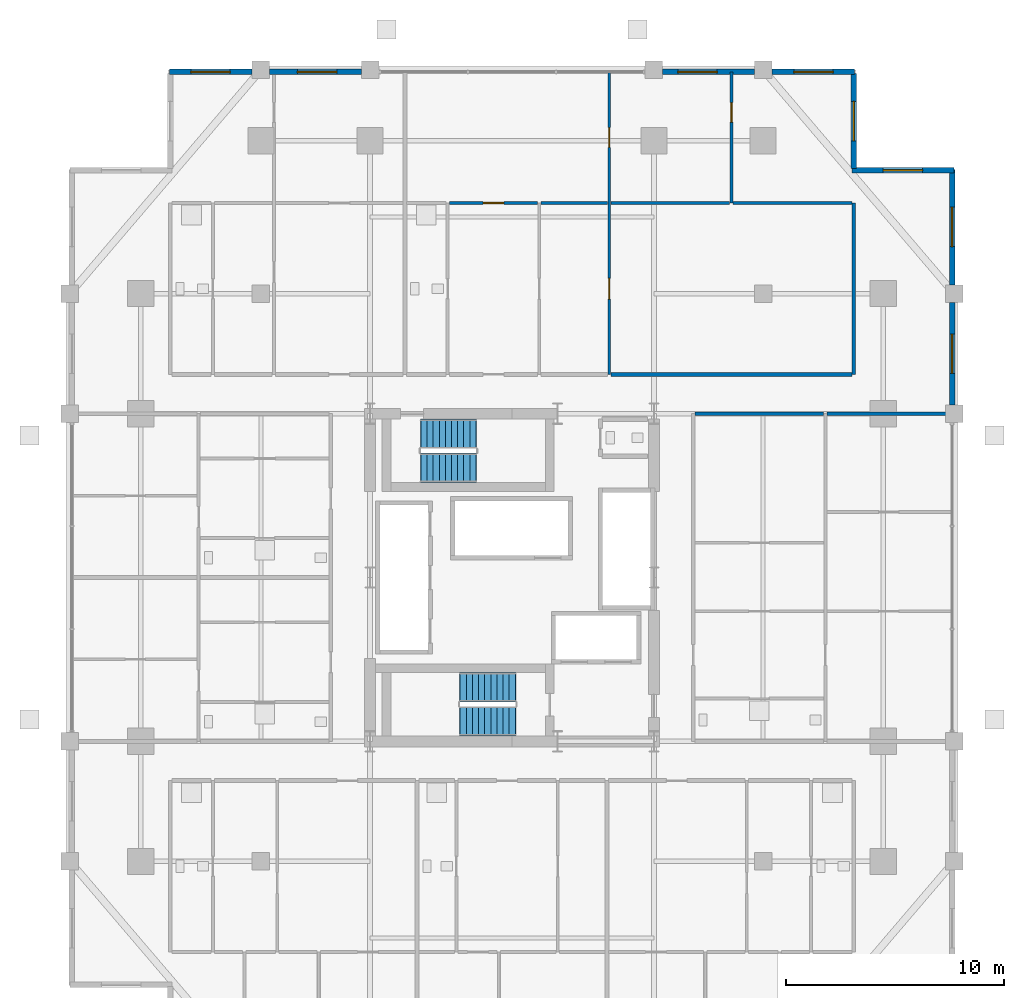
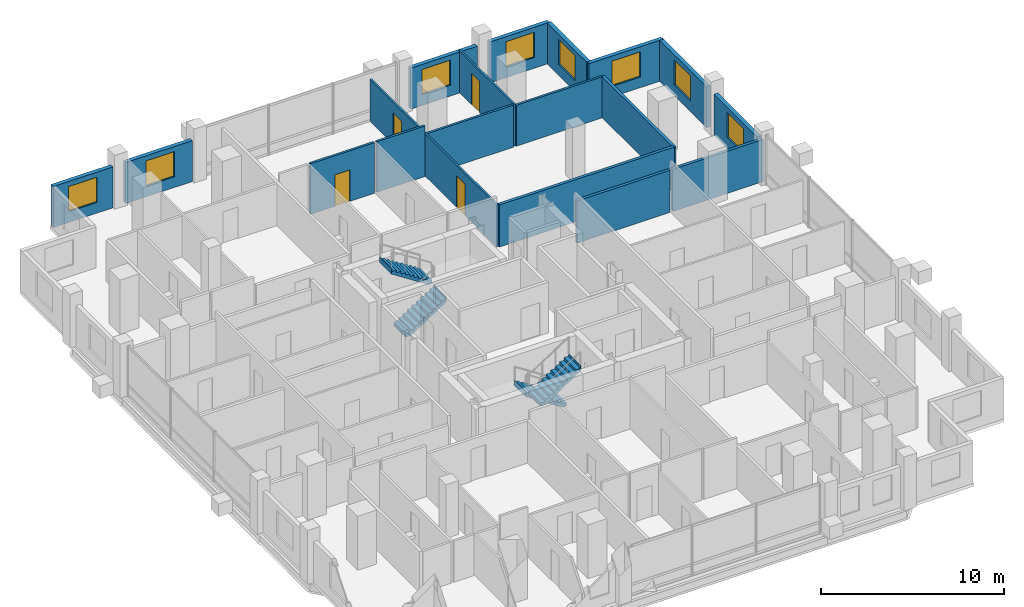
# One storey, part 18 of 20: 18 walls, 8 windows, 4 doors, 4 stair flights, 12 openings, 2 elements without a shape of their own.
"""IFC4 building model written with IfcOpenShell, lengths in metres."""

from ifc_helpers import new_model, si_unit, direction, frame, frame_2d, origin, place, context, subcontext, project, spatial, polyline, rectangle, outline, extrude, material, layer, layer_set, type_object, element, fill, aggregate, save


model = new_model("IFC4")

# Units and contexts
model_context = context("Model", 3, precision=1e-05, world=origin(), true_north=direction((0.0, 1.0)))
body_context = subcontext(model_context, "Body", "Model", "MODEL_VIEW")
ifc_project = project(units=[si_unit("LENGTHUNIT", "METRE"), si_unit("AREAUNIT", "SQUARE_METRE"), si_unit("VOLUMEUNIT", "CUBIC_METRE"), si_unit("PLANEANGLEUNIT", "RADIAN"), si_unit("MASSUNIT", "GRAM", prefix="KILO")], contexts=[model_context])

# Site, building, storey
site_placement = place(None, origin())
site = spatial("IfcSite", under=ifc_project, at=site_placement, CompositionType="ELEMENT")
building_placement = place(site_placement, origin())
building = spatial("IfcBuilding", under=site, at=building_placement, Name="Barlavira Tower and Art Museum", CompositionType="ELEMENT")
storey_placement = place(building_placement, frame((0.0, 0.0, 102.60009765625)))
storey = spatial("IfcBuildingStorey", under=building, at=storey_placement, Name="L25", CompositionType="ELEMENT", Elevation=102.60009765625)

# Wall, openings, doors
ifc_material_1 = material(Name="Gypsum acoustic stud partition", Category="gypsum")
ifc_layer_1 = layer(ifc_material_1, 0.1201171875, Name="Gypsum acoustic stud partition")
ifc_layer_set_1 = layer_set([ifc_layer_1], Name="Gypsum acoustic stud partition")
wall_type_1 = type_object("IfcWallType", Name="Apartment Internal Acoustic Partition 120", PredefinedType="PARTITIONING", material=ifc_layer_set_1)
wall_1_placement = place(storey_placement, frame((4.449951171875, 9.300048828125, 0.0), z_axis=(0.0, 0.0, 1.0), x_axis=(0.0, 1.0, 0.0)))
wall_1 = element("IfcWall", 1, at=wall_1_placement, inside=storey, type_object=wall_type_1, Name="L25 Partition Wall 20", PredefinedType="PARTITIONING", context=body_context, shape_type="SweptSolid", body=[
    extrude(rectangle(XDim=13.849853515625, YDim=0.1201171875, at=frame_2d((6.9248046875, 0.0))), origin(), (0.0, 0.0, 1.0), 2.81591796875),
])
opening_1_placement = place(wall_1_placement, frame((3.445068359375, 0.0, 0.0)))
opening_1 = element("IfcOpeningElement", 2, at=opening_1_placement, cuts=wall_1, Name="Opening D-02", PredefinedType="OPENING", context=body_context, shape_type="SweptSolid", body=[
    extrude(rectangle(XDim=0.949951171875, YDim=2.10009765625, at=frame_2d((0.47509765625, 1.050048828125))), frame((0.0, 0.070068359375, 0.0), z_axis=(0.0, -1.0, 0.0), x_axis=(1.0, 0.0, 0.0)), (0.0, 0.0, 1.0), 0.14013671875),
])
opening_2_placement = place(wall_1_placement, frame((10.39990234375, 0.0, 0.0)))
opening_2 = element("IfcOpeningElement", 3, at=opening_2_placement, cuts=wall_1, Name="Opening D-01", PredefinedType="OPENING", context=body_context, shape_type="SweptSolid", body=[
    extrude(rectangle(XDim=0.89990234375, YDim=2.10009765625, at=frame_2d((0.449951171875, 1.050048828125))), frame((0.0, 0.070068359375, 0.0), z_axis=(0.0, -1.0, 0.0), x_axis=(1.0, 0.0, 0.0)), (0.0, 0.0, 1.0), 0.14013671875),
])
ifc_material_2 = material(Name="Engineered coastal hardwood", Category="wood")
door_type_1 = type_object("IfcDoorType", Name="Internal Bedroom Timber Flush Door 900x2100", OperationType="NOTDEFINED", PredefinedType="DOOR", material=ifc_material_2)
door_1_placement = place(opening_2_placement, origin())
door_1 = element("IfcDoor", 4, at=door_1_placement, inside=storey, type_object=door_type_1, Name="Apartment N2 Bedroom 1 Door", OperationType="SINGLE_SWING_RIGHT", OverallHeight=2.10009765625, OverallWidth=0.89990234375, PredefinedType="DOOR", context=body_context, shape_type="SweptSolid", body=[
    extrude(rectangle(XDim=0.89990234375, YDim=2.10009765625, at=frame_2d((0.449951171875, 1.050048828125))), frame((0.0, 0.02490234375, 0.0), z_axis=(0.0, -1.0, 0.0), x_axis=(1.0, 0.0, 0.0)), (0.0, 0.0, 1.0), 0.050048828125),
])
fill(opening_2, door_1)
door_type_2 = type_object("IfcDoorType", Name="Living and Salon Glazed-Leaf Door 950x2100", OperationType="NOTDEFINED", PredefinedType="DOOR", material=ifc_material_2)
door_2_placement = place(opening_1_placement, origin())
door_2 = element("IfcDoor", 5, at=door_2_placement, inside=storey, type_object=door_type_2, Name="Apartment N2 Dining Salon Door", OperationType="SINGLE_SWING_RIGHT", OverallHeight=2.10009765625, OverallWidth=0.949951171875, PredefinedType="DOOR", context=body_context, shape_type="SweptSolid", body=[
    extrude(rectangle(XDim=0.949951171875, YDim=2.10009765625, at=frame_2d((0.47509765625, 1.050048828125))), frame((0.0, 0.02490234375, 0.0), z_axis=(0.0, -1.0, 0.0), x_axis=(1.0, 0.0, 0.0)), (0.0, 0.0, 1.0), 0.050048828125),
])
fill(opening_1, door_2)

# Wall, opening, door
wall_2_placement = place(storey_placement, frame((10.050048828125, 17.14990234375, 0.0), z_axis=(0.0, 0.0, 1.0), x_axis=(0.0, 1.0, 0.0)))
wall_2 = element("IfcWall", 6, at=wall_2_placement, inside=storey, type_object=wall_type_1, Name="L25 Partition Wall 23", PredefinedType="PARTITIONING", context=body_context, shape_type="SweptSolid", body=[
    extrude(rectangle(XDim=6.0, YDim=0.1201171875, at=frame_2d((3.0, 0.0))), origin(), (0.0, 0.0, 1.0), 2.81591796875),
])
opening_3_placement = place(wall_2_placement, frame((3.701171875, 0.0, 0.0)))
opening_3 = element("IfcOpeningElement", 7, at=opening_3_placement, cuts=wall_2, Name="Opening D-01", PredefinedType="OPENING", context=body_context, shape_type="SweptSolid", body=[
    extrude(rectangle(XDim=0.89990234375, YDim=2.10009765625, at=frame_2d((0.449951171875, 1.050048828125))), frame((0.0, 0.070068359375, 0.0), z_axis=(0.0, -1.0, 0.0), x_axis=(1.0, 0.0, 0.0)), (0.0, 0.0, 1.0), 0.14013671875),
])
door_3_placement = place(opening_3_placement, origin())
door_3 = element("IfcDoor", 8, at=door_3_placement, inside=storey, type_object=door_type_1, Name="Apartment N2 Bedroom 2 Door", OperationType="SINGLE_SWING_LEFT", OverallHeight=2.10009765625, OverallWidth=0.89990234375, PredefinedType="DOOR", context=body_context, shape_type="SweptSolid", body=[
    extrude(rectangle(XDim=0.89990234375, YDim=2.10009765625, at=frame_2d((0.449951171875, 1.050048828125))), frame((0.0, 0.02490234375, 0.0), z_axis=(0.0, -1.0, 0.0), x_axis=(1.0, 0.0, 0.0)), (0.0, 0.0, 1.0), 0.050048828125),
])
fill(opening_3, door_3)

# Walls
ifc_layer_2 = layer(ifc_material_1, 0.179931640625, Name="Gypsum acoustic stud partition")
ifc_layer_set_2 = layer_set([ifc_layer_2], Name="Gypsum acoustic stud partition")
wall_type_2 = type_object("IfcWallType", Name="Inter-Tenancy Party Partition Wall 180", PredefinedType="PARTITIONING", material=ifc_layer_set_2)
wall_3_placement = place(storey_placement, frame((15.64990234375, 9.300048828125, 0.0), z_axis=(0.0, 0.0, 1.0), x_axis=(0.0, 1.0, 0.0)))
element("IfcWall", 9, at=wall_3_placement, inside=storey, type_object=wall_type_2, Name="L25 Partition Wall 29", PredefinedType="PARTITIONING", context=body_context, shape_type="SweptSolid", body=[
    extrude(rectangle(XDim=7.849853515625, YDim=0.179931640625, at=frame_2d((3.9248046875, 0.0))), origin(), (0.0, 0.0, 1.0), 2.73583984375),
])
wall_4_placement = place(storey_placement, frame((8.3798828125, 7.5, 0.0), z_axis=(0.0, 0.0, 1.0), x_axis=(1.0, 0.0, 0.0)))
element("IfcWall", 10, at=wall_4_placement, inside=storey, type_object=wall_type_2, Name="L25 Partition Wall 74", PredefinedType="PARTITIONING", context=body_context, shape_type="SweptSolid", body=[
    extrude(rectangle(XDim=5.89013671875, YDim=0.179931640625, at=frame_2d((2.945068359375, 0.0))), origin(), (0.0, 0.0, 1.0), 2.81591796875),
])
wall_5_placement = place(storey_placement, frame((14.429931640625, 7.5, 0.0), z_axis=(0.0, 0.0, 1.0), x_axis=(1.0, 0.0, 0.0)))
element("IfcWall", 11, at=wall_5_placement, inside=storey, type_object=wall_type_2, Name="L25 Partition Wall 75", PredefinedType="PARTITIONING", context=body_context, shape_type="SweptSolid", body=[
    extrude(rectangle(XDim=5.719970703125, YDim=0.179931640625, at=frame_2d((2.85986328125, 0.0))), origin(), (0.0, 0.0, 1.0), 2.81591796875),
])
wall_6_placement = place(storey_placement, frame((4.530029296875, 9.300048828125, 0.0), z_axis=(0.0, 0.0, 1.0), x_axis=(1.0, 0.0, 0.0)))
element("IfcWall", 12, at=wall_6_placement, inside=storey, type_object=wall_type_2, Name="L25 Partition Wall 82", PredefinedType="PARTITIONING", context=body_context, shape_type="SweptSolid", body=[
    extrude(rectangle(XDim=11.0400390625, YDim=0.179931640625, at=frame_2d((5.52001953125, 0.0))), origin(), (0.0, 0.0, 1.0), 2.81591796875),
])

# Wall, opening, door
ifc_layer_3 = layer(ifc_material_1, 0.139892578125, Name="Gypsum acoustic stud partition")
ifc_layer_set_3 = layer_set([ifc_layer_3], Name="Gypsum acoustic stud partition")
wall_type_3 = type_object("IfcWallType", Name="Moisture-Resistant Bathroom Partition 140", PredefinedType="PARTITIONING", material=ifc_layer_set_3)
wall_7_placement = place(storey_placement, frame((-2.8701171875, 17.14990234375, 0.0), z_axis=(0.0, 0.0, 1.0), x_axis=(1.0, 0.0, 0.0)))
wall_7 = element("IfcWall", 13, at=wall_7_placement, inside=storey, type_object=wall_type_3, Name="L25 Partition Wall 87", PredefinedType="PARTITIONING", context=body_context, shape_type="SweptSolid", body=[
    extrude(rectangle(XDim=4.0400390625, YDim=0.139892578125, at=frame_2d((2.02001953125, 0.0))), origin(), (0.0, 0.0, 1.0), 3.3798828125),
])
opening_4_placement = place(wall_7_placement, frame((1.544921875, 0.0, 0.0)))
opening_4 = element("IfcOpeningElement", 14, at=opening_4_placement, cuts=wall_7, Name="Opening D-02", PredefinedType="OPENING", context=body_context, shape_type="SweptSolid", body=[
    extrude(rectangle(XDim=0.949951171875, YDim=2.10009765625, at=frame_2d((0.47509765625, 1.050048828125))), frame((0.0, 0.080078125, 0.0), z_axis=(0.0, -1.0, 0.0), x_axis=(1.0, 0.0, 0.0)), (0.0, 0.0, 1.0), 0.159912109375),
])
door_4_placement = place(opening_4_placement, origin())
door_4 = element("IfcDoor", 15, at=door_4_placement, inside=storey, type_object=door_type_2, Name="Apartment N2 Living Lounge Door", OperationType="SINGLE_SWING_LEFT", OverallHeight=2.10009765625, OverallWidth=0.949951171875, PredefinedType="DOOR", context=body_context, shape_type="SweptSolid", body=[
    extrude(rectangle(XDim=0.949951171875, YDim=2.10009765625, at=frame_2d((0.47509765625, 1.050048828125))), frame((0.0, 0.02490234375, 0.0), z_axis=(0.0, -1.0, 0.0), x_axis=(1.0, 0.0, 0.0)), (0.0, 0.0, 1.0), 0.050048828125),
])
fill(opening_4, door_4)

# Walls
wall_8_placement = place(storey_placement, frame((1.330078125, 17.14990234375, 0.0), z_axis=(0.0, 0.0, 1.0), x_axis=(1.0, 0.0, 0.0)))
element("IfcWall", 16, at=wall_8_placement, inside=storey, type_object=wall_type_3, Name="L25 Partition Wall 88", PredefinedType="PARTITIONING", context=body_context, shape_type="SweptSolid", body=[
    extrude(rectangle(XDim=3.0400390625, YDim=0.139892578125, at=frame_2d((1.52001953125, 0.0))), origin(), (0.0, 0.0, 1.0), 3.3798828125),
])
wall_9_placement = place(storey_placement, frame((4.530029296875, 17.14990234375, 0.0), z_axis=(0.0, 0.0, 1.0), x_axis=(1.0, 0.0, 0.0)))
element("IfcWall", 17, at=wall_9_placement, inside=storey, type_object=wall_type_3, Name="L25 Partition Wall 89", PredefinedType="PARTITIONING", context=body_context, shape_type="SweptSolid", body=[
    extrude(rectangle(XDim=5.43994140625, YDim=0.139892578125, at=frame_2d((2.719970703125, 0.0))), origin(), (0.0, 0.0, 1.0), 2.81591796875),
])
wall_10_placement = place(storey_placement, frame((10.1298828125, 17.14990234375, 0.0), z_axis=(0.0, 0.0, 1.0), x_axis=(1.0, 0.0, 0.0)))
element("IfcWall", 18, at=wall_10_placement, inside=storey, type_object=wall_type_3, Name="L25 Partition Wall 90", PredefinedType="PARTITIONING", context=body_context, shape_type="SweptSolid", body=[
    extrude(rectangle(XDim=5.440185546875, YDim=0.139892578125, at=frame_2d((2.72021484375, 0.0))), origin(), (0.0, 0.0, 1.0), 2.73583984375),
])

# Wall, opening, window
ifc_material_3 = material(Name="Precast concrete C40", Category="concrete")
ifc_layer_4 = layer(ifc_material_3, 0.25, Name="Precast concrete C40")
ifc_layer_set_4 = layer_set([ifc_layer_4], Name="Precast concrete C40")
wall_type_4 = type_object("IfcWallType", Name="Notched Corner Spandrel Wall 250 Precast Concrete C40", PredefinedType="SOLIDWALL", material=ifc_layer_set_4)
wall_11_placement = place(storey_placement, frame((15.675048828125, 23.14990234375, 0.0), z_axis=(0.0, 0.0, 1.0), x_axis=(-1.0, 0.0, 0.0)))
wall_11 = element("IfcWall", 19, at=wall_11_placement, inside=storey, type_object=wall_type_4, Name="L25 Coastal Facade Pier Wall CW2-L25-N-1", PredefinedType="SOLIDWALL", context=body_context, shape_type="SweptSolid", body=[
    extrude(rectangle(XDim=3.780029296875, YDim=0.25, at=frame_2d((1.89013671875, 0.0))), origin(), (0.0, 0.0, 1.0), 2.73583984375),
])
opening_5_placement = place(wall_11_placement, frame((0.968017578125, 0.0, 0.719970703125)))
opening_5 = element("IfcOpeningElement", 20, at=opening_5_placement, cuts=wall_11, Name="Opening WN-01", PredefinedType="OPENING", context=body_context, shape_type="SweptSolid", body=[
    extrude(rectangle(XDim=1.800048828125, YDim=1.679931640625, at=frame_2d((0.89990234375, 0.83984375))), frame((0.0, 0.135009765625, 0.0), z_axis=(0.0, -1.0, 0.0), x_axis=(1.0, 0.0, 0.0)), (0.0, 0.0, 1.0), 0.27001953125),
])
ifc_material_4 = material(Name="Low-iron coastal laminated glass", Category="glass")
window_type = type_object("IfcWindowType", Name="Recessed Notch Corner Punch Window 1800x1680", PartitioningType="SINGLE_PANEL", PredefinedType="WINDOW", material=ifc_material_4)
window_1_placement = place(opening_5_placement, origin())
window_1 = element("IfcWindow", 21, at=window_1_placement, inside=storey, type_object=window_type, Name="L25 Punched Facade Window EWP-CW2-L25-N-1-1", OverallHeight=1.679931640625, OverallWidth=1.800048828125, PartitioningType="SINGLE_PANEL", PredefinedType="WINDOW", context=body_context, shape_type="SweptSolid", body=[
    extrude(rectangle(XDim=1.800048828125, YDim=1.679931640625, at=frame_2d((0.89990234375, 0.83984375))), frame((0.0, 0.030029296875, 0.0), z_axis=(0.0, -1.0, 0.0), x_axis=(1.0, 0.0, 0.0)), (0.0, 0.0, 1.0), 0.06005859375),
])
fill(opening_5, window_1)

wall_12_placement = place(storey_placement, frame((11.10498046875, 23.14990234375, 0.0), z_axis=(0.0, 0.0, 1.0), x_axis=(-1.0, 0.0, 0.0)))
wall_12 = element("IfcWall", 22, at=wall_12_placement, inside=storey, type_object=wall_type_4, Name="L25 Coastal Facade Pier Wall CW2-L25-N-2", PredefinedType="SOLIDWALL", context=body_context, shape_type="SweptSolid", body=[
    extrude(rectangle(XDim=4.2099609375, YDim=0.25, at=frame_2d((2.10498046875, 0.0))), origin(), (0.0, 0.0, 1.0), 2.73583984375),
])
opening_6_placement = place(wall_12_placement, frame((1.7099609375, 0.0, 0.719970703125)))
opening_6 = element("IfcOpeningElement", 23, at=opening_6_placement, cuts=wall_12, Name="Opening WN-01", PredefinedType="OPENING", context=body_context, shape_type="SweptSolid", body=[
    extrude(rectangle(XDim=1.800048828125, YDim=1.679931640625, at=frame_2d((0.89990234375, 0.83984375))), frame((0.0, 0.135009765625, 0.0), z_axis=(0.0, -1.0, 0.0), x_axis=(1.0, 0.0, 0.0)), (0.0, 0.0, 1.0), 0.27001953125),
])
window_2_placement = place(opening_6_placement, origin())
window_2 = element("IfcWindow", 24, at=window_2_placement, inside=storey, type_object=window_type, Name="L25 Punched Facade Window EWP-CW2-L25-N-2-1", OverallHeight=1.679931640625, OverallWidth=1.800048828125, PartitioningType="SINGLE_PANEL", PredefinedType="WINDOW", context=body_context, shape_type="SweptSolid", body=[
    extrude(rectangle(XDim=1.800048828125, YDim=1.679931640625, at=frame_2d((0.89990234375, 0.83984375))), frame((0.0, 0.030029296875, 0.0), z_axis=(0.0, -1.0, 0.0), x_axis=(1.0, 0.0, 0.0)), (0.0, 0.0, 1.0), 0.06005859375),
])
fill(opening_6, window_2)

wall_13_placement = place(storey_placement, frame((-6.89501953125, 23.14990234375, 0.0), z_axis=(0.0, 0.0, 1.0), x_axis=(-1.0, 0.0, 0.0)))
wall_13 = element("IfcWall", 25, at=wall_13_placement, inside=storey, type_object=wall_type_4, Name="L25 Coastal Facade Pier Wall CW2-L25-N-4", PredefinedType="SOLIDWALL", context=body_context, shape_type="SweptSolid", body=[
    extrude(rectangle(XDim=4.2099609375, YDim=0.25, at=frame_2d((2.10498046875, 0.0))), origin(), (0.0, 0.0, 1.0), 2.73583984375),
])
opening_7_placement = place(wall_13_placement, frame((1.1298828125, 0.0, 0.719970703125)))
opening_7 = element("IfcOpeningElement", 26, at=opening_7_placement, cuts=wall_13, Name="Opening WN-01", PredefinedType="OPENING", context=body_context, shape_type="SweptSolid", body=[
    extrude(rectangle(XDim=1.800048828125, YDim=1.679931640625, at=frame_2d((0.89990234375, 0.83984375))), frame((0.0, 0.135009765625, 0.0), z_axis=(0.0, -1.0, 0.0), x_axis=(1.0, 0.0, 0.0)), (0.0, 0.0, 1.0), 0.27001953125),
])
window_3_placement = place(opening_7_placement, origin())
window_3 = element("IfcWindow", 27, at=window_3_placement, inside=storey, type_object=window_type, Name="L25 Punched Facade Window EWP-CW2-L25-N-4-1", OverallHeight=1.679931640625, OverallWidth=1.800048828125, PartitioningType="SINGLE_PANEL", PredefinedType="WINDOW", context=body_context, shape_type="SweptSolid", body=[
    extrude(rectangle(XDim=1.800048828125, YDim=1.679931640625, at=frame_2d((0.89990234375, 0.83984375))), frame((0.0, 0.030029296875, 0.0), z_axis=(0.0, -1.0, 0.0), x_axis=(1.0, 0.0, 0.0)), (0.0, 0.0, 1.0), 0.06005859375),
])
fill(opening_7, window_3)

wall_14_placement = place(storey_placement, frame((-11.89501953125, 23.14990234375, 0.0), z_axis=(0.0, 0.0, 1.0), x_axis=(-1.0, 0.0, 0.0)))
wall_14 = element("IfcWall", 28, at=wall_14_placement, inside=storey, type_object=wall_type_4, Name="L25 Coastal Facade Pier Wall CW2-L25-N-5", PredefinedType="SOLIDWALL", context=body_context, shape_type="SweptSolid", body=[
    extrude(rectangle(XDim=3.780029296875, YDim=0.25, at=frame_2d((1.89013671875, 0.0))), origin(), (0.0, 0.0, 1.0), 2.73583984375),
])
opening_8_placement = place(wall_14_placement, frame((1.012939453125, 0.0, 0.719970703125)))
opening_8 = element("IfcOpeningElement", 29, at=opening_8_placement, cuts=wall_14, Name="Opening WN-01", PredefinedType="OPENING", context=body_context, shape_type="SweptSolid", body=[
    extrude(rectangle(XDim=1.800048828125, YDim=1.679931640625, at=frame_2d((0.89990234375, 0.83984375))), frame((0.0, 0.135009765625, 0.0), z_axis=(0.0, -1.0, 0.0), x_axis=(1.0, 0.0, 0.0)), (0.0, 0.0, 1.0), 0.27001953125),
])
window_4_placement = place(opening_8_placement, origin())
window_4 = element("IfcWindow", 30, at=window_4_placement, inside=storey, type_object=window_type, Name="L25 Punched Facade Window EWP-CW2-L25-N-5-1", OverallHeight=1.679931640625, OverallWidth=1.800048828125, PartitioningType="SINGLE_PANEL", PredefinedType="WINDOW", context=body_context, shape_type="SweptSolid", body=[
    extrude(rectangle(XDim=1.800048828125, YDim=1.679931640625, at=frame_2d((0.89990234375, 0.83984375))), frame((0.0, 0.030029296875, 0.0), z_axis=(0.0, -1.0, 0.0), x_axis=(1.0, 0.0, 0.0)), (0.0, 0.0, 1.0), 0.06005859375),
])
fill(opening_8, window_4)

wall_15_placement = place(storey_placement, frame((20.14990234375, 7.89501953125, 0.0), z_axis=(0.0, 0.0, 1.0), x_axis=(0.0, 1.0, 0.0)))
wall_15 = element("IfcWall", 31, at=wall_15_placement, inside=storey, type_object=wall_type_4, Name="L25 Coastal Facade Pier Wall CW2-L25-E-4", PredefinedType="SOLIDWALL", context=body_context, shape_type="SweptSolid", body=[
    extrude(rectangle(XDim=4.7099609375, YDim=0.25, at=frame_2d((2.35498046875, 0.0))), origin(), (0.0, 0.0, 1.0), 2.73583984375),
])
opening_9_placement = place(wall_15_placement, frame((1.455078125, 0.0, 0.719970703125)))
opening_9 = element("IfcOpeningElement", 32, at=opening_9_placement, cuts=wall_15, Name="Opening WN-01", PredefinedType="OPENING", context=body_context, shape_type="SweptSolid", body=[
    extrude(rectangle(XDim=1.800048828125, YDim=1.679931640625, at=frame_2d((0.89990234375, 0.83984375))), frame((0.0, 0.135009765625, 0.0), z_axis=(0.0, -1.0, 0.0), x_axis=(1.0, 0.0, 0.0)), (0.0, 0.0, 1.0), 0.27001953125),
])
window_5_placement = place(opening_9_placement, origin())
window_5 = element("IfcWindow", 33, at=window_5_placement, inside=storey, type_object=window_type, Name="L25 Punched Facade Window EWP-CW2-L25-E-4-1", OverallHeight=1.679931640625, OverallWidth=1.800048828125, PartitioningType="SINGLE_PANEL", PredefinedType="WINDOW", context=body_context, shape_type="SweptSolid", body=[
    extrude(rectangle(XDim=1.800048828125, YDim=1.679931640625, at=frame_2d((0.89990234375, 0.83984375))), frame((0.0, 0.030029296875, 0.0), z_axis=(0.0, -1.0, 0.0), x_axis=(1.0, 0.0, 0.0)), (0.0, 0.0, 1.0), 0.06005859375),
])
fill(opening_9, window_5)

wall_16_placement = place(storey_placement, frame((20.14990234375, 13.39501953125, 0.0), z_axis=(0.0, 0.0, 1.0), x_axis=(0.0, 1.0, 0.0)))
wall_16 = element("IfcWall", 34, at=wall_16_placement, inside=storey, type_object=wall_type_4, Name="L25 Coastal Facade Pier Wall CW2-L25-E-5", PredefinedType="SOLIDWALL", context=body_context, shape_type="SweptSolid", body=[
    extrude(rectangle(XDim=5.280029296875, YDim=0.25, at=frame_2d((2.64013671875, 0.0))), origin(), (0.0, 0.0, 1.0), 2.73583984375),
])
opening_10_placement = place(wall_16_placement, frame((1.762939453125, 0.0, 0.719970703125)))
opening_10 = element("IfcOpeningElement", 35, at=opening_10_placement, cuts=wall_16, Name="Opening WN-01", PredefinedType="OPENING", context=body_context, shape_type="SweptSolid", body=[
    extrude(rectangle(XDim=1.800048828125, YDim=1.679931640625, at=frame_2d((0.89990234375, 0.83984375))), frame((0.0, 0.135009765625, 0.0), z_axis=(0.0, -1.0, 0.0), x_axis=(1.0, 0.0, 0.0)), (0.0, 0.0, 1.0), 0.27001953125),
])
window_6_placement = place(opening_10_placement, origin())
window_6 = element("IfcWindow", 36, at=window_6_placement, inside=storey, type_object=window_type, Name="L25 Punched Facade Window EWP-CW2-L25-E-5-1", OverallHeight=1.679931640625, OverallWidth=1.800048828125, PartitioningType="SINGLE_PANEL", PredefinedType="WINDOW", context=body_context, shape_type="SweptSolid", body=[
    extrude(rectangle(XDim=1.800048828125, YDim=1.679931640625, at=frame_2d((0.89990234375, 0.83984375))), frame((0.0, 0.030029296875, 0.0), z_axis=(0.0, -1.0, 0.0), x_axis=(1.0, 0.0, 0.0)), (0.0, 0.0, 1.0), 0.06005859375),
])
fill(opening_10, window_6)

wall_17_placement = place(storey_placement, frame((20.22998046875, 18.64990234375, 0.0), z_axis=(0.0, 0.0, 1.0), x_axis=(-1.0, 0.0, 0.0)))
wall_17 = element("IfcWall", 37, at=wall_17_placement, inside=storey, type_object=wall_type_4, Name="L25 Notch Corner Wall NE1", PredefinedType="SOLIDWALL", context=body_context, shape_type="SweptSolid", body=[
    extrude(rectangle(XDim=4.659912109375, YDim=0.25, at=frame_2d((2.330078125, 0.0))), origin(), (0.0, 0.0, 1.0), 2.73583984375),
])
opening_11_placement = place(wall_17_placement, frame((1.429931640625, 0.0, 0.719970703125)))
opening_11 = element("IfcOpeningElement", 38, at=opening_11_placement, cuts=wall_17, Name="Opening WN-01", PredefinedType="OPENING", context=body_context, shape_type="SweptSolid", body=[
    extrude(rectangle(XDim=1.800048828125, YDim=1.679931640625, at=frame_2d((0.89990234375, 0.83984375))), frame((0.0, 0.135009765625, 0.0), z_axis=(0.0, -1.0, 0.0), x_axis=(1.0, 0.0, 0.0)), (0.0, 0.0, 1.0), 0.27001953125),
])
window_7_placement = place(opening_11_placement, origin())
window_7 = element("IfcWindow", 39, at=window_7_placement, inside=storey, type_object=window_type, Name="L25 Punched Facade Window EW-NTC-L25-NE1-1", OverallHeight=1.679931640625, OverallWidth=1.800048828125, PartitioningType="SINGLE_PANEL", PredefinedType="WINDOW", context=body_context, shape_type="SweptSolid", body=[
    extrude(rectangle(XDim=1.800048828125, YDim=1.679931640625, at=frame_2d((0.89990234375, 0.83984375))), frame((0.0, 0.030029296875, 0.0), z_axis=(0.0, -1.0, 0.0), x_axis=(1.0, 0.0, 0.0)), (0.0, 0.0, 1.0), 0.06005859375),
])
fill(opening_11, window_7)

wall_18_placement = place(storey_placement, frame((15.64990234375, 18.72998046875, 0.0), z_axis=(0.0, 0.0, 1.0), x_axis=(0.0, 1.0, 0.0)))
wall_18 = element("IfcWall", 40, at=wall_18_placement, inside=storey, type_object=wall_type_4, Name="L25 Notch Corner Wall NE2", PredefinedType="SOLIDWALL", context=body_context, shape_type="SweptSolid", body=[
    extrude(rectangle(XDim=4.340087890625, YDim=0.25, at=frame_2d((2.169921875, 0.0))), origin(), (0.0, 0.0, 1.0), 2.73583984375),
])
opening_12_placement = place(wall_18_placement, frame((1.27001953125, 0.0, 0.719970703125)))
opening_12 = element("IfcOpeningElement", 41, at=opening_12_placement, cuts=wall_18, Name="Opening WN-01", PredefinedType="OPENING", context=body_context, shape_type="SweptSolid", body=[
    extrude(rectangle(XDim=1.800048828125, YDim=1.679931640625, at=frame_2d((0.89990234375, 0.83984375))), frame((0.0, 0.135009765625, 0.0), z_axis=(0.0, -1.0, 0.0), x_axis=(1.0, 0.0, 0.0)), (0.0, 0.0, 1.0), 0.27001953125),
])
window_8_placement = place(opening_12_placement, origin())
window_8 = element("IfcWindow", 42, at=window_8_placement, inside=storey, type_object=window_type, Name="L25 Punched Facade Window EW-NTC-L25-NE2-1", OverallHeight=1.679931640625, OverallWidth=1.800048828125, PartitioningType="SINGLE_PANEL", PredefinedType="WINDOW", context=body_context, shape_type="SweptSolid", body=[
    extrude(rectangle(XDim=1.800048828125, YDim=1.679931640625, at=frame_2d((0.89990234375, 0.83984375))), frame((0.0, 0.030029296875, 0.0), z_axis=(0.0, -1.0, 0.0), x_axis=(1.0, 0.0, 0.0)), (0.0, 0.0, 1.0), 0.06005859375),
])
fill(opening_12, window_8)

# Stair, stair flights
ifc_material_5 = material(Name="Concrete C45", Category="concrete")
stair_type_1 = type_object("IfcStairType", Name="Tower North Dog-Leg Exit Stair Assembly Concrete C45", PredefinedType="TWO_QUARTER_TURN_STAIR", material=ifc_material_5)
stair_1_placement = place(storey_placement, origin())
stair_1 = element("IfcStair", 43, at=stair_1_placement, inside=storey, type_object=stair_type_1, Name="L25 Tower North Exit Stair ST-T2", PredefinedType="TWO_QUARTER_TURN_STAIR")
ifc_material_6 = material(Name="Precast concrete C45", Category="concrete")
stair_flight_type_1 = type_object("IfcStairFlightType", Name="Tower North Dog-Leg Exit Stair Precast Flight 1350 Concrete C45", PredefinedType="STRAIGHT", material=ifc_material_6)
stair_flight_1_placement = place(storey_placement, frame((-4.169921875, 5.02490234375, 0.0), z_axis=(0.0, 0.0, 1.0), x_axis=(1.0, 0.0, 0.0)))
stair_flight_1 = element("IfcStairFlight", 44, at=stair_flight_1_placement, type_object=stair_flight_type_1, Name="ST-T2 flight 1", NumberOfRisers=10, NumberOfTreads=9, PredefinedType="STRAIGHT", RiserHeight=0.18, TreadLength=0.28, context=body_context, shape_type="SweptSolid", body=[
    extrude(outline(polyline([(-0.02490234375, 0.0), (0.0, 0.0), (0.0, 0.179931640625), (0.280029296875, 0.179931640625), (0.280029296875, 0.360107421875), (0.56005859375, 0.360107421875), (0.56005859375, 0.5400390625), (0.840087890625, 0.5400390625), (0.840087890625, 0.719970703125), (1.1201171875, 0.719970703125), (1.1201171875, 0.89990234375), (1.39990234375, 0.89990234375), (1.39990234375, 1.080078125), (1.679931640625, 1.080078125), (1.679931640625, 1.260009765625), (1.9599609375, 1.260009765625), (1.9599609375, 1.43994140625), (2.239990234375, 1.43994140625), (2.239990234375, 1.6201171875), (2.52001953125, 1.6201171875), (2.52001953125, 1.800048828125), (2.544921875, 1.800048828125), (2.544921875, 1.44189453125), (2.52001953125, 1.44189453125), (0.277099609375, -0.02490234375), (-0.02490234375, -0.02490234375), (-0.02490234375, 0.0)])), frame((0.0, 0.675048828125, 0.0), z_axis=(0.0, -1.0, 0.0), x_axis=(1.0, 0.0, 0.0)), (0.0, 0.0, 1.0), 1.35009765625),
])
stair_flight_2_placement = place(storey_placement, frame((-1.64990234375, 6.574951171875, 1.7998046875), z_axis=(0.0, 0.0, 1.0), x_axis=(-1.0, 0.0, 0.0)))
stair_flight_2 = element("IfcStairFlight", 45, at=stair_flight_2_placement, type_object=stair_flight_type_1, Name="ST-T2 flight 2", NumberOfRisers=10, NumberOfTreads=9, PredefinedType="STRAIGHT", RiserHeight=0.18, TreadLength=0.28, context=body_context, shape_type="SweptSolid", body=[
    extrude(outline(polyline([(-0.02490234375, 0.0), (0.0, 0.0), (0.0, 0.179931640625), (0.280029296875, 0.179931640625), (0.280029296875, 0.360107421875), (0.56005859375, 0.360107421875), (0.56005859375, 0.5400390625), (0.840087890625, 0.5400390625), (0.840087890625, 0.719970703125), (1.1201171875, 0.719970703125), (1.1201171875, 0.89990234375), (1.39990234375, 0.89990234375), (1.39990234375, 1.080078125), (1.679931640625, 1.080078125), (1.679931640625, 1.260009765625), (1.9599609375, 1.260009765625), (1.9599609375, 1.43994140625), (2.239990234375, 1.43994140625), (2.239990234375, 1.6201171875), (2.52001953125, 1.6201171875), (2.52001953125, 1.800048828125), (2.544921875, 1.800048828125), (2.544921875, 1.44189453125), (2.52001953125, 1.44189453125), (0.277099609375, -0.02490234375), (-0.02490234375, -0.02490234375), (-0.02490234375, 0.0)])), frame((0.0, 0.675048828125, 0.0), z_axis=(0.0, -1.0, 0.0), x_axis=(1.0, 0.0, 0.0)), (0.0, 0.0, 1.0), 1.35009765625),
])
aggregate(stair_1, [stair_flight_1, stair_flight_2])

stair_type_2 = type_object("IfcStairType", Name="Tower South Dog-Leg Exit Stair Assembly Concrete C45", PredefinedType="TWO_QUARTER_TURN_STAIR", material=ifc_material_5)
stair_2_placement = place(storey_placement, origin())
stair_2 = element("IfcStair", 46, at=stair_2_placement, inside=storey, type_object=stair_type_2, Name="L25 Tower South Exit Stair ST-T1", PredefinedType="TWO_QUARTER_TURN_STAIR")
stair_flight_type_2 = type_object("IfcStairFlightType", Name="Tower South Dog-Leg Exit Stair Precast Flight 1350 Concrete C45", PredefinedType="STRAIGHT", material=ifc_material_6)
stair_flight_3_placement = place(storey_placement, frame((0.14990234375, -5.02490234375, 0.0), z_axis=(0.0, 0.0, 1.0), x_axis=(-1.0, 0.0, 0.0)))
stair_flight_3 = element("IfcStairFlight", 47, at=stair_flight_3_placement, type_object=stair_flight_type_2, Name="ST-T1 flight 1", NumberOfRisers=10, NumberOfTreads=9, PredefinedType="STRAIGHT", RiserHeight=0.18, TreadLength=0.28, context=body_context, shape_type="SweptSolid", body=[
    extrude(outline(polyline([(-0.02490234375, 0.0), (0.0, 0.0), (0.0, 0.179931640625), (0.280029296875, 0.179931640625), (0.280029296875, 0.360107421875), (0.56005859375, 0.360107421875), (0.56005859375, 0.5400390625), (0.840087890625, 0.5400390625), (0.840087890625, 0.719970703125), (1.1201171875, 0.719970703125), (1.1201171875, 0.89990234375), (1.39990234375, 0.89990234375), (1.39990234375, 1.080078125), (1.679931640625, 1.080078125), (1.679931640625, 1.260009765625), (1.9599609375, 1.260009765625), (1.9599609375, 1.43994140625), (2.239990234375, 1.43994140625), (2.239990234375, 1.6201171875), (2.52001953125, 1.6201171875), (2.52001953125, 1.800048828125), (2.544921875, 1.800048828125), (2.544921875, 1.44189453125), (2.52001953125, 1.44189453125), (0.277099609375, -0.02490234375), (-0.02490234375, -0.02490234375), (-0.02490234375, 0.0)])), frame((0.0, 0.675048828125, 0.0), z_axis=(0.0, -1.0, 0.0), x_axis=(1.0, 0.0, 0.0)), (0.0, 0.0, 1.0), 1.35009765625),
])
stair_flight_4_placement = place(storey_placement, frame((-2.3701171875, -6.574951171875, 1.7998046875), z_axis=(0.0, 0.0, 1.0), x_axis=(1.0, 0.0, 0.0)))
stair_flight_4 = element("IfcStairFlight", 48, at=stair_flight_4_placement, type_object=stair_flight_type_2, Name="ST-T1 flight 2", NumberOfRisers=10, NumberOfTreads=9, PredefinedType="STRAIGHT", RiserHeight=0.18, TreadLength=0.28, context=body_context, shape_type="SweptSolid", body=[
    extrude(outline(polyline([(-0.02490234375, 0.0), (0.0, 0.0), (0.0, 0.179931640625), (0.280029296875, 0.179931640625), (0.280029296875, 0.360107421875), (0.56005859375, 0.360107421875), (0.56005859375, 0.5400390625), (0.840087890625, 0.5400390625), (0.840087890625, 0.719970703125), (1.1201171875, 0.719970703125), (1.1201171875, 0.89990234375), (1.39990234375, 0.89990234375), (1.39990234375, 1.080078125), (1.679931640625, 1.080078125), (1.679931640625, 1.260009765625), (1.9599609375, 1.260009765625), (1.9599609375, 1.43994140625), (2.239990234375, 1.43994140625), (2.239990234375, 1.6201171875), (2.52001953125, 1.6201171875), (2.52001953125, 1.800048828125), (2.544921875, 1.800048828125), (2.544921875, 1.44189453125), (2.52001953125, 1.44189453125), (0.277099609375, -0.02490234375), (-0.02490234375, -0.02490234375), (-0.02490234375, 0.0)])), frame((0.0, 0.675048828125, 0.0), z_axis=(0.0, -1.0, 0.0), x_axis=(1.0, 0.0, 0.0)), (0.0, 0.0, 1.0), 1.35009765625),
])
aggregate(stair_2, [stair_flight_3, stair_flight_4])

save(model, "model.ifc")
